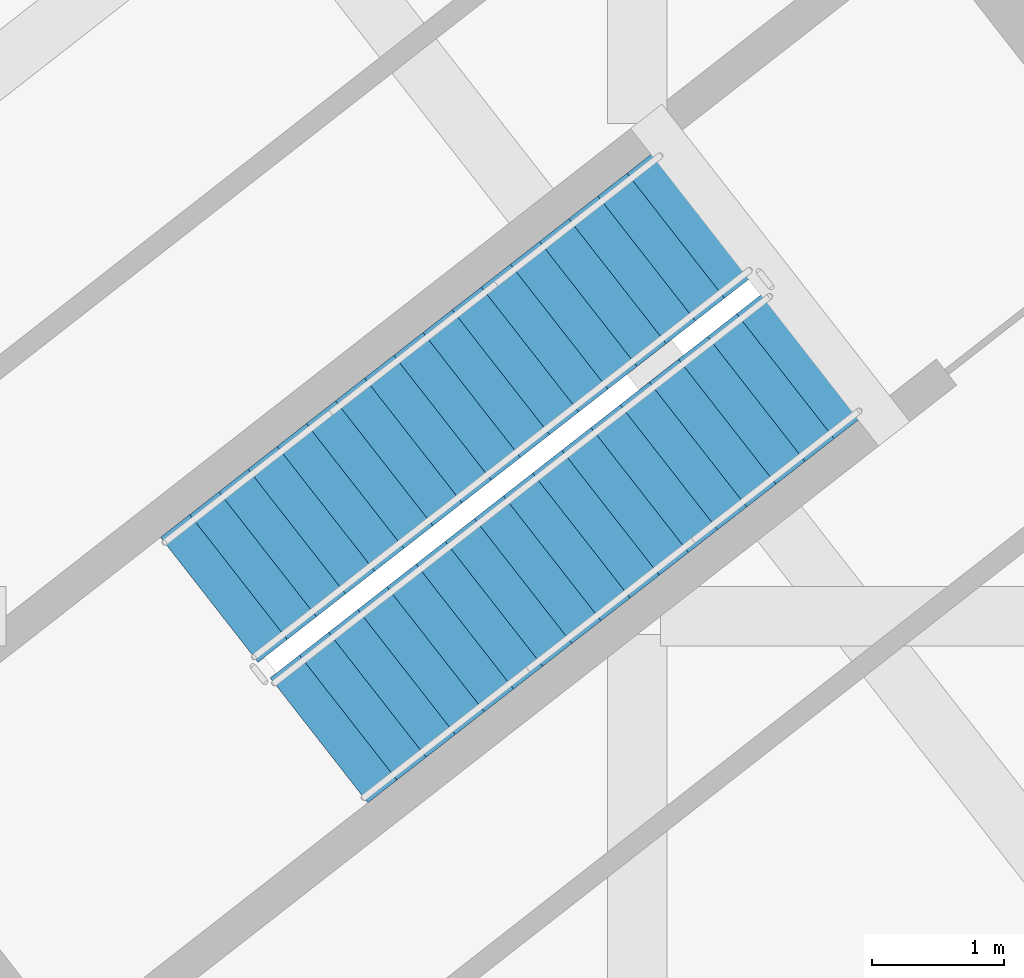
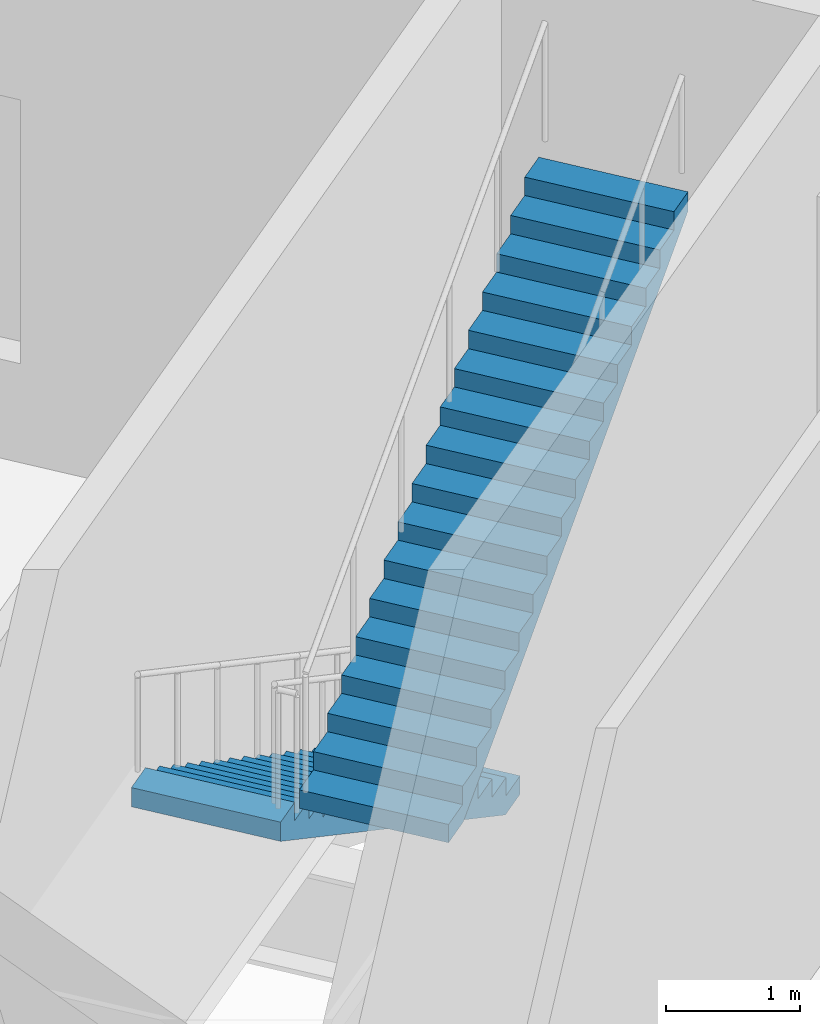
# One storey, part 18 of 24: 2 stair flights, 1 element without a shape of its own.
"""IFC4 building model written with IfcOpenShell, lengths in metres."""

from ifc_helpers import new_model, si_unit, direction, frame, origin, place, context, subcontext, project, spatial, faceted_brep, material, type_object, element, aggregate, save


model = new_model("IFC4")

# Units and contexts
model_context = context("Model", 3, precision=1e-05, world=origin(), true_north=direction((0.0, 1.0)))
body_context = subcontext(model_context, "Body", "Model", "MODEL_VIEW")
ifc_project = project(units=[si_unit("LENGTHUNIT", "METRE"), si_unit("AREAUNIT", "SQUARE_METRE"), si_unit("VOLUMEUNIT", "CUBIC_METRE"), si_unit("PLANEANGLEUNIT", "RADIAN"), si_unit("MASSUNIT", "GRAM", prefix="KILO")], contexts=[model_context])

# Site, building, storey
site_placement = place(None, origin())
site = spatial("IfcSite", under=ifc_project, at=site_placement, CompositionType="ELEMENT")
building_placement = place(site_placement, origin())
building = spatial("IfcBuilding", under=site, at=building_placement, Name="Tarsis Ring Headquarters", CompositionType="ELEMENT")
storey_placement = place(building_placement, frame((0.0, 0.0, 8.0)))
storey = spatial("IfcBuildingStorey", under=building, at=storey_placement, Name="L01", CompositionType="ELEMENT", Elevation=8.0)

# Stair, stair flights
ifc_material = material(Name="Concrete C40/50", Category="concrete")
stair_type = type_object("IfcStairType", Name="PO-ST", PredefinedType="HALF_TURN_STAIR", material=ifc_material)
stair_placement = place(storey_placement, origin())
stair = element("IfcStair", 1, at=stair_placement, inside=storey, type_object=stair_type, Name="L01 Podium stair", PredefinedType="HALF_TURN_STAIR")
stair_flight_type = type_object("IfcStairFlightType", Name="PO-STF", PredefinedType="STRAIGHT", material=ifc_material)
stair_flight_1_placement = place(storey_placement, frame((-17.48779296875, 48.052978515625, 0.0), z_axis=(0.0, 0.0, 1.0), x_axis=(-0.788276433435, -0.615321269331, 0.0)))
stair_flight_1 = element("IfcStairFlight", 2, at=stair_flight_1_placement, type_object=stair_flight_type, Name="Stair PS4 flight 1", NumberOfRisers=18, NumberOfTreads=17, PredefinedType="STRAIGHT", RiserHeight=0.166666667, TreadLength=0.28, context=body_context, shape_type="Brep", body=[
    faceted_brep([(0.0, 0.60009765625, 0.0), (0.0, 0.60009765625, 0.166748046875), (0.280029296875, 0.60009765625, 0.166748046875), (0.280029296875, 0.60009765625, 0.333251953125), (0.56005859375, 0.60009765625, 0.333251953125), (0.56005859375, 0.60009765625, 0.5), (0.840087890625, 0.60009765625, 0.5), (0.840087890625, 0.60009765625, 0.666748046875), (1.1201171875, 0.60009765625, 0.666748046875), (1.1201171875, 0.60009765625, 0.833251953125), (1.39990234375, 0.60009765625, 0.833251953125), (1.39990234375, 0.60009765625, 1.0), (1.679931640625, 0.60009765625, 1.0), (1.679931640625, 0.60009765625, 1.166748046875), (1.9599609375, 0.60009765625, 1.166748046875), (1.9599609375, 0.60009765625, 1.333251953125), (2.239990234375, 0.60009765625, 1.333251953125), (2.239990234375, 0.60009765625, 1.5), (2.52001953125, 0.60009765625, 1.5), (2.52001953125, 0.60009765625, 1.666748046875), (2.800048828125, 0.60009765625, 1.666748046875), (2.800048828125, 0.60009765625, 1.833251953125), (3.080078125, 0.60009765625, 1.833251953125), (3.080078125, 0.60009765625, 2.0), (3.360107421875, 0.60009765625, 2.0), (3.360107421875, 0.60009765625, 2.166748046875), (3.639892578125, 0.60009765625, 2.166748046875), (3.639892578125, 0.60009765625, 2.333251953125), (3.919921875, 0.60009765625, 2.333251953125), (3.919921875, 0.60009765625, 2.5), (4.199951171875, 0.60009765625, 2.5), (4.199951171875, 0.60009765625, 2.666748046875), (4.47998046875, 0.60009765625, 2.666748046875), (4.47998046875, 0.60009765625, 2.833251953125), (4.760009765625, 0.60009765625, 2.833251953125), (4.760009765625, 0.60009765625, 2.658935546875), (0.29296875, 0.60009765625, 0.0), (0.29296875, -0.60009765625, 0.0), (4.760009765625, -0.60009765625, 2.658935546875), (4.760009765625, -0.60009765625, 2.833251953125), (4.47998046875, -0.60009765625, 2.833251953125), (4.47998046875, -0.60009765625, 2.666748046875), (4.199951171875, -0.60009765625, 2.666748046875), (4.199951171875, -0.60009765625, 2.5), (3.919921875, -0.60009765625, 2.5), (3.919921875, -0.60009765625, 2.333251953125), (3.639892578125, -0.60009765625, 2.333251953125), (3.639892578125, -0.60009765625, 2.166748046875), (3.360107421875, -0.60009765625, 2.166748046875), (3.360107421875, -0.60009765625, 2.0), (3.080078125, -0.60009765625, 2.0), (3.080078125, -0.60009765625, 1.833251953125), (2.800048828125, -0.60009765625, 1.833251953125), (2.800048828125, -0.60009765625, 1.666748046875), (2.52001953125, -0.60009765625, 1.666748046875), (2.52001953125, -0.60009765625, 1.5), (2.239990234375, -0.60009765625, 1.5), (2.239990234375, -0.60009765625, 1.333251953125), (1.9599609375, -0.60009765625, 1.333251953125), (1.9599609375, -0.60009765625, 1.166748046875), (1.679931640625, -0.60009765625, 1.166748046875), (1.679931640625, -0.60009765625, 1.0), (1.39990234375, -0.60009765625, 1.0), (1.39990234375, -0.60009765625, 0.833251953125), (1.1201171875, -0.60009765625, 0.833251953125), (1.1201171875, -0.60009765625, 0.666748046875), (0.840087890625, -0.60009765625, 0.666748046875), (0.840087890625, -0.60009765625, 0.5), (0.56005859375, -0.60009765625, 0.5), (0.56005859375, -0.60009765625, 0.333251953125), (0.280029296875, -0.60009765625, 0.333251953125), (0.280029296875, -0.60009765625, 0.166748046875), (0.0, -0.60009765625, 0.166748046875), (0.0, -0.60009765625, 0.0), (0.0, -0.300048828125, 0.166748046875), (0.0, -0.300048828125, 0.0), (0.0, 0.0, 0.166748046875), (0.0, 0.0, 0.0), (0.0, 0.300048828125, 0.166748046875), (0.0, 0.300048828125, 0.0), (0.280029296875, -0.300048828125, 0.166748046875), (0.280029296875, 0.0, 0.166748046875), (0.280029296875, 0.300048828125, 0.166748046875), (0.280029296875, -0.300048828125, 0.333251953125), (0.280029296875, 0.0, 0.333251953125), (0.280029296875, 0.300048828125, 0.333251953125), (0.56005859375, -0.300048828125, 0.333251953125), (0.56005859375, 0.0, 0.333251953125), (0.56005859375, 0.300048828125, 0.333251953125), (0.56005859375, -0.300048828125, 0.5), (0.56005859375, 0.0, 0.5), (0.56005859375, 0.300048828125, 0.5), (0.840087890625, -0.300048828125, 0.5), (0.840087890625, 0.0, 0.5), (0.840087890625, 0.300048828125, 0.5), (0.840087890625, -0.300048828125, 0.666748046875), (0.840087890625, 0.0, 0.666748046875), (0.840087890625, 0.300048828125, 0.666748046875), (1.1201171875, -0.300048828125, 0.666748046875), (1.1201171875, 0.0, 0.666748046875), (1.1201171875, 0.300048828125, 0.666748046875), (1.1201171875, -0.300048828125, 0.833251953125), (1.1201171875, 0.0, 0.833251953125), (1.1201171875, 0.300048828125, 0.833251953125), (1.39990234375, -0.300048828125, 0.833251953125), (1.39990234375, 0.0, 0.833251953125), (1.39990234375, 0.300048828125, 0.833251953125), (1.39990234375, -0.300048828125, 1.0), (1.39990234375, 0.0, 1.0), (1.39990234375, 0.300048828125, 1.0), (1.679931640625, -0.300048828125, 1.0), (1.679931640625, 0.0, 1.0), (1.679931640625, 0.300048828125, 1.0), (1.679931640625, -0.300048828125, 1.166748046875), (1.679931640625, 0.0, 1.166748046875), (1.679931640625, 0.300048828125, 1.166748046875), (1.9599609375, -0.300048828125, 1.166748046875), (1.9599609375, 0.0, 1.166748046875), (1.9599609375, 0.300048828125, 1.166748046875), (1.9599609375, -0.300048828125, 1.333251953125), (1.9599609375, 0.0, 1.333251953125), (1.9599609375, 0.300048828125, 1.333251953125), (2.239990234375, -0.300048828125, 1.333251953125), (2.239990234375, 0.0, 1.333251953125), (2.239990234375, 0.300048828125, 1.333251953125), (2.239990234375, -0.300048828125, 1.5), (2.239990234375, 0.0, 1.5), (2.239990234375, 0.300048828125, 1.5), (2.52001953125, -0.300048828125, 1.5), (2.52001953125, 0.0, 1.5), (2.52001953125, 0.300048828125, 1.5), (2.52001953125, -0.300048828125, 1.666748046875), (2.52001953125, 0.0, 1.666748046875), (2.52001953125, 0.300048828125, 1.666748046875), (2.800048828125, -0.300048828125, 1.666748046875), (2.800048828125, 0.0, 1.666748046875), (2.800048828125, 0.300048828125, 1.666748046875), (2.800048828125, -0.300048828125, 1.833251953125), (2.800048828125, 0.0, 1.833251953125), (2.800048828125, 0.300048828125, 1.833251953125), (3.080078125, -0.300048828125, 1.833251953125), (3.080078125, 0.0, 1.833251953125), (3.080078125, 0.300048828125, 1.833251953125), (3.080078125, -0.300048828125, 2.0), (3.080078125, 0.0, 2.0), (3.080078125, 0.300048828125, 2.0), (3.360107421875, -0.300048828125, 2.0), (3.360107421875, 0.0, 2.0), (3.360107421875, 0.300048828125, 2.0), (3.360107421875, -0.300048828125, 2.166748046875), (3.360107421875, 0.0, 2.166748046875), (3.360107421875, 0.300048828125, 2.166748046875), (3.639892578125, -0.300048828125, 2.166748046875), (3.639892578125, 0.0, 2.166748046875), (3.639892578125, 0.300048828125, 2.166748046875), (3.639892578125, -0.300048828125, 2.333251953125), (3.639892578125, 0.0, 2.333251953125), (3.639892578125, 0.300048828125, 2.333251953125), (3.919921875, -0.300048828125, 2.333251953125), (3.919921875, 0.0, 2.333251953125), (3.919921875, 0.300048828125, 2.333251953125), (3.919921875, -0.300048828125, 2.5), (3.919921875, 0.0, 2.5), (3.919921875, 0.300048828125, 2.5), (4.199951171875, -0.300048828125, 2.5), (4.199951171875, 0.0, 2.5), (4.199951171875, 0.300048828125, 2.5), (4.199951171875, -0.300048828125, 2.666748046875), (4.199951171875, 0.0, 2.666748046875), (4.199951171875, 0.300048828125, 2.666748046875), (4.47998046875, -0.300048828125, 2.666748046875), (4.47998046875, 0.0, 2.666748046875), (4.47998046875, 0.300048828125, 2.666748046875), (4.47998046875, -0.300048828125, 2.833251953125), (4.47998046875, 0.0, 2.833251953125), (4.47998046875, 0.300048828125, 2.833251953125), (4.760009765625, -0.300048828125, 2.833251953125), (4.760009765625, 0.0, 2.833251953125), (4.760009765625, 0.300048828125, 2.833251953125), (4.760009765625, -0.300048828125, 2.658935546875), (4.760009765625, 0.0, 2.658935546875), (4.760009765625, 0.300048828125, 2.658935546875), (0.29296875, -0.300048828125, 0.0), (0.29296875, 0.0, 0.0), (0.29296875, 0.300048828125, 0.0)], [[[0, 1, 2, 3, 4, 5, 6, 7, 8, 9, 10, 11, 12, 13, 14, 15, 16, 17, 18, 19, 20, 21, 22, 23, 24, 25, 26, 27, 28, 29, 30, 31, 32, 33, 34, 35, 36]], [[37, 38, 39, 40, 41, 42, 43, 44, 45, 46, 47, 48, 49, 50, 51, 52, 53, 54, 55, 56, 57, 58, 59, 60, 61, 62, 63, 64, 65, 66, 67, 68, 69, 70, 71, 72, 73]], [[73, 72, 74, 75]], [[75, 74, 76, 77]], [[77, 76, 78, 79]], [[79, 78, 1, 0]], [[72, 71, 80, 74]], [[74, 80, 81, 76]], [[76, 81, 82, 78]], [[78, 82, 2, 1]], [[71, 70, 83, 80]], [[80, 83, 84, 81]], [[81, 84, 85, 82]], [[82, 85, 3, 2]], [[70, 69, 86, 83]], [[83, 86, 87, 84]], [[84, 87, 88, 85]], [[85, 88, 4, 3]], [[69, 68, 89, 86]], [[86, 89, 90, 87]], [[87, 90, 91, 88]], [[88, 91, 5, 4]], [[68, 67, 92, 89]], [[89, 92, 93, 90]], [[90, 93, 94, 91]], [[91, 94, 6, 5]], [[67, 66, 95, 92]], [[92, 95, 96, 93]], [[93, 96, 97, 94]], [[94, 97, 7, 6]], [[66, 65, 98, 95]], [[95, 98, 99, 96]], [[96, 99, 100, 97]], [[97, 100, 8, 7]], [[65, 64, 101, 98]], [[98, 101, 102, 99]], [[99, 102, 103, 100]], [[100, 103, 9, 8]], [[64, 63, 104, 101]], [[101, 104, 105, 102]], [[102, 105, 106, 103]], [[103, 106, 10, 9]], [[63, 62, 107, 104]], [[104, 107, 108, 105]], [[105, 108, 109, 106]], [[106, 109, 11, 10]], [[62, 61, 110, 107]], [[107, 110, 111, 108]], [[108, 111, 112, 109]], [[109, 112, 12, 11]], [[61, 60, 113, 110]], [[110, 113, 114, 111]], [[111, 114, 115, 112]], [[112, 115, 13, 12]], [[60, 59, 116, 113]], [[113, 116, 117, 114]], [[114, 117, 118, 115]], [[115, 118, 14, 13]], [[59, 58, 119, 116]], [[116, 119, 120, 117]], [[117, 120, 121, 118]], [[118, 121, 15, 14]], [[58, 57, 122, 119]], [[119, 122, 123, 120]], [[120, 123, 124, 121]], [[121, 124, 16, 15]], [[57, 56, 125, 122]], [[122, 125, 126, 123]], [[123, 126, 127, 124]], [[124, 127, 17, 16]], [[56, 55, 128, 125]], [[125, 128, 129, 126]], [[126, 129, 130, 127]], [[127, 130, 18, 17]], [[55, 54, 131, 128]], [[128, 131, 132, 129]], [[129, 132, 133, 130]], [[130, 133, 19, 18]], [[54, 53, 134, 131]], [[131, 134, 135, 132]], [[132, 135, 136, 133]], [[133, 136, 20, 19]], [[53, 52, 137, 134]], [[134, 137, 138, 135]], [[135, 138, 139, 136]], [[136, 139, 21, 20]], [[52, 51, 140, 137]], [[137, 140, 141, 138]], [[138, 141, 142, 139]], [[139, 142, 22, 21]], [[51, 50, 143, 140]], [[140, 143, 144, 141]], [[141, 144, 145, 142]], [[142, 145, 23, 22]], [[50, 49, 146, 143]], [[143, 146, 147, 144]], [[144, 147, 148, 145]], [[145, 148, 24, 23]], [[49, 48, 149, 146]], [[146, 149, 150, 147]], [[147, 150, 151, 148]], [[148, 151, 25, 24]], [[48, 47, 152, 149]], [[149, 152, 153, 150]], [[150, 153, 154, 151]], [[151, 154, 26, 25]], [[47, 46, 155, 152]], [[152, 155, 156, 153]], [[153, 156, 157, 154]], [[154, 157, 27, 26]], [[46, 45, 158, 155]], [[155, 158, 159, 156]], [[156, 159, 160, 157]], [[157, 160, 28, 27]], [[45, 44, 161, 158]], [[158, 161, 162, 159]], [[159, 162, 163, 160]], [[160, 163, 29, 28]], [[44, 43, 164, 161]], [[161, 164, 165, 162]], [[162, 165, 166, 163]], [[163, 166, 30, 29]], [[43, 42, 167, 164]], [[164, 167, 168, 165]], [[165, 168, 169, 166]], [[166, 169, 31, 30]], [[42, 41, 170, 167]], [[167, 170, 171, 168]], [[168, 171, 172, 169]], [[169, 172, 32, 31]], [[41, 40, 173, 170]], [[170, 173, 174, 171]], [[171, 174, 175, 172]], [[172, 175, 33, 32]], [[40, 39, 176, 173]], [[173, 176, 177, 174]], [[174, 177, 178, 175]], [[175, 178, 34, 33]], [[39, 38, 179, 176]], [[176, 179, 180, 177]], [[177, 180, 181, 178]], [[178, 181, 35, 34]], [[38, 37, 182, 179]], [[179, 182, 183, 180]], [[180, 183, 184, 181]], [[181, 184, 36, 35]], [[37, 73, 75, 182]], [[182, 75, 77, 183]], [[183, 77, 79, 184]], [[184, 79, 0, 36]]]),
])
stair_flight_2_placement = place(storey_placement, frame((-20.409423828125, 44.06005859375, 3.0), z_axis=(0.0, 0.0, 1.0), x_axis=(0.788276433435, 0.615321269331, 0.0)))
stair_flight_2 = element("IfcStairFlight", 3, at=stair_flight_2_placement, type_object=stair_flight_type, Name="Stair PS4 flight 2", NumberOfRisers=18, NumberOfTreads=17, PredefinedType="STRAIGHT", RiserHeight=0.166666667, TreadLength=0.28, context=body_context, shape_type="Brep", body=[
    faceted_brep([(0.0, 0.60009765625, 0.0), (0.0, 0.60009765625, 0.166748046875), (0.280029296875, 0.60009765625, 0.166748046875), (0.280029296875, 0.60009765625, 0.333251953125), (0.56005859375, 0.60009765625, 0.333251953125), (0.56005859375, 0.60009765625, 0.5), (0.840087890625, 0.60009765625, 0.5), (0.840087890625, 0.60009765625, 0.666748046875), (1.1201171875, 0.60009765625, 0.666748046875), (1.1201171875, 0.60009765625, 0.833251953125), (1.39990234375, 0.60009765625, 0.833251953125), (1.39990234375, 0.60009765625, 1.0), (1.679931640625, 0.60009765625, 1.0), (1.679931640625, 0.60009765625, 1.166748046875), (1.9599609375, 0.60009765625, 1.166748046875), (1.9599609375, 0.60009765625, 1.333251953125), (2.239990234375, 0.60009765625, 1.333251953125), (2.239990234375, 0.60009765625, 1.5), (2.52001953125, 0.60009765625, 1.5), (2.52001953125, 0.60009765625, 1.666748046875), (2.800048828125, 0.60009765625, 1.666748046875), (2.800048828125, 0.60009765625, 1.833251953125), (3.080078125, 0.60009765625, 1.833251953125), (3.080078125, 0.60009765625, 2.0), (3.360107421875, 0.60009765625, 2.0), (3.360107421875, 0.60009765625, 2.166748046875), (3.639892578125, 0.60009765625, 2.166748046875), (3.639892578125, 0.60009765625, 2.333251953125), (3.919921875, 0.60009765625, 2.333251953125), (3.919921875, 0.60009765625, 2.5), (4.199951171875, 0.60009765625, 2.5), (4.199951171875, 0.60009765625, 2.666748046875), (4.47998046875, 0.60009765625, 2.666748046875), (4.47998046875, 0.60009765625, 2.833251953125), (4.760009765625, 0.60009765625, 2.833251953125), (4.760009765625, 0.60009765625, 2.658935546875), (0.29296875, 0.60009765625, 0.0), (0.29296875, -0.60009765625, 0.0), (4.760009765625, -0.60009765625, 2.658935546875), (4.760009765625, -0.60009765625, 2.833251953125), (4.47998046875, -0.60009765625, 2.833251953125), (4.47998046875, -0.60009765625, 2.666748046875), (4.199951171875, -0.60009765625, 2.666748046875), (4.199951171875, -0.60009765625, 2.5), (3.919921875, -0.60009765625, 2.5), (3.919921875, -0.60009765625, 2.333251953125), (3.639892578125, -0.60009765625, 2.333251953125), (3.639892578125, -0.60009765625, 2.166748046875), (3.360107421875, -0.60009765625, 2.166748046875), (3.360107421875, -0.60009765625, 2.0), (3.080078125, -0.60009765625, 2.0), (3.080078125, -0.60009765625, 1.833251953125), (2.800048828125, -0.60009765625, 1.833251953125), (2.800048828125, -0.60009765625, 1.666748046875), (2.52001953125, -0.60009765625, 1.666748046875), (2.52001953125, -0.60009765625, 1.5), (2.239990234375, -0.60009765625, 1.5), (2.239990234375, -0.60009765625, 1.333251953125), (1.9599609375, -0.60009765625, 1.333251953125), (1.9599609375, -0.60009765625, 1.166748046875), (1.679931640625, -0.60009765625, 1.166748046875), (1.679931640625, -0.60009765625, 1.0), (1.39990234375, -0.60009765625, 1.0), (1.39990234375, -0.60009765625, 0.833251953125), (1.1201171875, -0.60009765625, 0.833251953125), (1.1201171875, -0.60009765625, 0.666748046875), (0.840087890625, -0.60009765625, 0.666748046875), (0.840087890625, -0.60009765625, 0.5), (0.56005859375, -0.60009765625, 0.5), (0.56005859375, -0.60009765625, 0.333251953125), (0.280029296875, -0.60009765625, 0.333251953125), (0.280029296875, -0.60009765625, 0.166748046875), (0.0, -0.60009765625, 0.166748046875), (0.0, -0.60009765625, 0.0), (0.0, -0.300048828125, 0.166748046875), (0.0, -0.300048828125, 0.0), (0.0, 0.0, 0.166748046875), (0.0, 0.0, 0.0), (0.0, 0.300048828125, 0.166748046875), (0.0, 0.300048828125, 0.0), (0.280029296875, -0.300048828125, 0.166748046875), (0.280029296875, 0.0, 0.166748046875), (0.280029296875, 0.300048828125, 0.166748046875), (0.280029296875, -0.300048828125, 0.333251953125), (0.280029296875, 0.0, 0.333251953125), (0.280029296875, 0.300048828125, 0.333251953125), (0.56005859375, -0.300048828125, 0.333251953125), (0.56005859375, 0.0, 0.333251953125), (0.56005859375, 0.300048828125, 0.333251953125), (0.56005859375, -0.300048828125, 0.5), (0.56005859375, 0.0, 0.5), (0.56005859375, 0.300048828125, 0.5), (0.840087890625, -0.300048828125, 0.5), (0.840087890625, 0.0, 0.5), (0.840087890625, 0.300048828125, 0.5), (0.840087890625, -0.300048828125, 0.666748046875), (0.840087890625, 0.0, 0.666748046875), (0.840087890625, 0.300048828125, 0.666748046875), (1.1201171875, -0.300048828125, 0.666748046875), (1.1201171875, 0.0, 0.666748046875), (1.1201171875, 0.300048828125, 0.666748046875), (1.1201171875, -0.300048828125, 0.833251953125), (1.1201171875, 0.0, 0.833251953125), (1.1201171875, 0.300048828125, 0.833251953125), (1.39990234375, -0.300048828125, 0.833251953125), (1.39990234375, 0.0, 0.833251953125), (1.39990234375, 0.300048828125, 0.833251953125), (1.39990234375, -0.300048828125, 1.0), (1.39990234375, 0.0, 1.0), (1.39990234375, 0.300048828125, 1.0), (1.679931640625, -0.300048828125, 1.0), (1.679931640625, 0.0, 1.0), (1.679931640625, 0.300048828125, 1.0), (1.679931640625, -0.300048828125, 1.166748046875), (1.679931640625, 0.0, 1.166748046875), (1.679931640625, 0.300048828125, 1.166748046875), (1.9599609375, -0.300048828125, 1.166748046875), (1.9599609375, 0.0, 1.166748046875), (1.9599609375, 0.300048828125, 1.166748046875), (1.9599609375, -0.300048828125, 1.333251953125), (1.9599609375, 0.0, 1.333251953125), (1.9599609375, 0.300048828125, 1.333251953125), (2.239990234375, -0.300048828125, 1.333251953125), (2.239990234375, 0.0, 1.333251953125), (2.239990234375, 0.300048828125, 1.333251953125), (2.239990234375, -0.300048828125, 1.5), (2.239990234375, 0.0, 1.5), (2.239990234375, 0.300048828125, 1.5), (2.52001953125, -0.300048828125, 1.5), (2.52001953125, 0.0, 1.5), (2.52001953125, 0.300048828125, 1.5), (2.52001953125, -0.300048828125, 1.666748046875), (2.52001953125, 0.0, 1.666748046875), (2.52001953125, 0.300048828125, 1.666748046875), (2.800048828125, -0.300048828125, 1.666748046875), (2.800048828125, 0.0, 1.666748046875), (2.800048828125, 0.300048828125, 1.666748046875), (2.800048828125, -0.300048828125, 1.833251953125), (2.800048828125, 0.0, 1.833251953125), (2.800048828125, 0.300048828125, 1.833251953125), (3.080078125, -0.300048828125, 1.833251953125), (3.080078125, 0.0, 1.833251953125), (3.080078125, 0.300048828125, 1.833251953125), (3.080078125, -0.300048828125, 2.0), (3.080078125, 0.0, 2.0), (3.080078125, 0.300048828125, 2.0), (3.360107421875, -0.300048828125, 2.0), (3.360107421875, 0.0, 2.0), (3.360107421875, 0.300048828125, 2.0), (3.360107421875, -0.300048828125, 2.166748046875), (3.360107421875, 0.0, 2.166748046875), (3.360107421875, 0.300048828125, 2.166748046875), (3.639892578125, -0.300048828125, 2.166748046875), (3.639892578125, 0.0, 2.166748046875), (3.639892578125, 0.300048828125, 2.166748046875), (3.639892578125, -0.300048828125, 2.333251953125), (3.639892578125, 0.0, 2.333251953125), (3.639892578125, 0.300048828125, 2.333251953125), (3.919921875, -0.300048828125, 2.333251953125), (3.919921875, 0.0, 2.333251953125), (3.919921875, 0.300048828125, 2.333251953125), (3.919921875, -0.300048828125, 2.5), (3.919921875, 0.0, 2.5), (3.919921875, 0.300048828125, 2.5), (4.199951171875, -0.300048828125, 2.5), (4.199951171875, 0.0, 2.5), (4.199951171875, 0.300048828125, 2.5), (4.199951171875, -0.300048828125, 2.666748046875), (4.199951171875, 0.0, 2.666748046875), (4.199951171875, 0.300048828125, 2.666748046875), (4.47998046875, -0.300048828125, 2.666748046875), (4.47998046875, 0.0, 2.666748046875), (4.47998046875, 0.300048828125, 2.666748046875), (4.47998046875, -0.300048828125, 2.833251953125), (4.47998046875, 0.0, 2.833251953125), (4.47998046875, 0.300048828125, 2.833251953125), (4.760009765625, -0.300048828125, 2.833251953125), (4.760009765625, 0.0, 2.833251953125), (4.760009765625, 0.300048828125, 2.833251953125), (4.760009765625, -0.300048828125, 2.658935546875), (4.760009765625, 0.0, 2.658935546875), (4.760009765625, 0.300048828125, 2.658935546875), (0.29296875, -0.300048828125, 0.0), (0.29296875, 0.0, 0.0), (0.29296875, 0.300048828125, 0.0)], [[[0, 1, 2, 3, 4, 5, 6, 7, 8, 9, 10, 11, 12, 13, 14, 15, 16, 17, 18, 19, 20, 21, 22, 23, 24, 25, 26, 27, 28, 29, 30, 31, 32, 33, 34, 35, 36]], [[37, 38, 39, 40, 41, 42, 43, 44, 45, 46, 47, 48, 49, 50, 51, 52, 53, 54, 55, 56, 57, 58, 59, 60, 61, 62, 63, 64, 65, 66, 67, 68, 69, 70, 71, 72, 73]], [[73, 72, 74, 75]], [[75, 74, 76, 77]], [[77, 76, 78, 79]], [[79, 78, 1, 0]], [[72, 71, 80, 74]], [[74, 80, 81, 76]], [[76, 81, 82, 78]], [[78, 82, 2, 1]], [[71, 70, 83, 80]], [[80, 83, 84, 81]], [[81, 84, 85, 82]], [[82, 85, 3, 2]], [[70, 69, 86, 83]], [[83, 86, 87, 84]], [[84, 87, 88, 85]], [[85, 88, 4, 3]], [[69, 68, 89, 86]], [[86, 89, 90, 87]], [[87, 90, 91, 88]], [[88, 91, 5, 4]], [[68, 67, 92, 89]], [[89, 92, 93, 90]], [[90, 93, 94, 91]], [[91, 94, 6, 5]], [[67, 66, 95, 92]], [[92, 95, 96, 93]], [[93, 96, 97, 94]], [[94, 97, 7, 6]], [[66, 65, 98, 95]], [[95, 98, 99, 96]], [[96, 99, 100, 97]], [[97, 100, 8, 7]], [[65, 64, 101, 98]], [[98, 101, 102, 99]], [[99, 102, 103, 100]], [[100, 103, 9, 8]], [[64, 63, 104, 101]], [[101, 104, 105, 102]], [[102, 105, 106, 103]], [[103, 106, 10, 9]], [[63, 62, 107, 104]], [[104, 107, 108, 105]], [[105, 108, 109, 106]], [[106, 109, 11, 10]], [[62, 61, 110, 107]], [[107, 110, 111, 108]], [[108, 111, 112, 109]], [[109, 112, 12, 11]], [[61, 60, 113, 110]], [[110, 113, 114, 111]], [[111, 114, 115, 112]], [[112, 115, 13, 12]], [[60, 59, 116, 113]], [[113, 116, 117, 114]], [[114, 117, 118, 115]], [[115, 118, 14, 13]], [[59, 58, 119, 116]], [[116, 119, 120, 117]], [[117, 120, 121, 118]], [[118, 121, 15, 14]], [[58, 57, 122, 119]], [[119, 122, 123, 120]], [[120, 123, 124, 121]], [[121, 124, 16, 15]], [[57, 56, 125, 122]], [[122, 125, 126, 123]], [[123, 126, 127, 124]], [[124, 127, 17, 16]], [[56, 55, 128, 125]], [[125, 128, 129, 126]], [[126, 129, 130, 127]], [[127, 130, 18, 17]], [[55, 54, 131, 128]], [[128, 131, 132, 129]], [[129, 132, 133, 130]], [[130, 133, 19, 18]], [[54, 53, 134, 131]], [[131, 134, 135, 132]], [[132, 135, 136, 133]], [[133, 136, 20, 19]], [[53, 52, 137, 134]], [[134, 137, 138, 135]], [[135, 138, 139, 136]], [[136, 139, 21, 20]], [[52, 51, 140, 137]], [[137, 140, 141, 138]], [[138, 141, 142, 139]], [[139, 142, 22, 21]], [[51, 50, 143, 140]], [[140, 143, 144, 141]], [[141, 144, 145, 142]], [[142, 145, 23, 22]], [[50, 49, 146, 143]], [[143, 146, 147, 144]], [[144, 147, 148, 145]], [[145, 148, 24, 23]], [[49, 48, 149, 146]], [[146, 149, 150, 147]], [[147, 150, 151, 148]], [[148, 151, 25, 24]], [[48, 47, 152, 149]], [[149, 152, 153, 150]], [[150, 153, 154, 151]], [[151, 154, 26, 25]], [[47, 46, 155, 152]], [[152, 155, 156, 153]], [[153, 156, 157, 154]], [[154, 157, 27, 26]], [[46, 45, 158, 155]], [[155, 158, 159, 156]], [[156, 159, 160, 157]], [[157, 160, 28, 27]], [[45, 44, 161, 158]], [[158, 161, 162, 159]], [[159, 162, 163, 160]], [[160, 163, 29, 28]], [[44, 43, 164, 161]], [[161, 164, 165, 162]], [[162, 165, 166, 163]], [[163, 166, 30, 29]], [[43, 42, 167, 164]], [[164, 167, 168, 165]], [[165, 168, 169, 166]], [[166, 169, 31, 30]], [[42, 41, 170, 167]], [[167, 170, 171, 168]], [[168, 171, 172, 169]], [[169, 172, 32, 31]], [[41, 40, 173, 170]], [[170, 173, 174, 171]], [[171, 174, 175, 172]], [[172, 175, 33, 32]], [[40, 39, 176, 173]], [[173, 176, 177, 174]], [[174, 177, 178, 175]], [[175, 178, 34, 33]], [[39, 38, 179, 176]], [[176, 179, 180, 177]], [[177, 180, 181, 178]], [[178, 181, 35, 34]], [[38, 37, 182, 179]], [[179, 182, 183, 180]], [[180, 183, 184, 181]], [[181, 184, 36, 35]], [[37, 73, 75, 182]], [[182, 75, 77, 183]], [[183, 77, 79, 184]], [[184, 79, 0, 36]]]),
])
aggregate(stair, [stair_flight_1, stair_flight_2])

save(model, "model.ifc")
